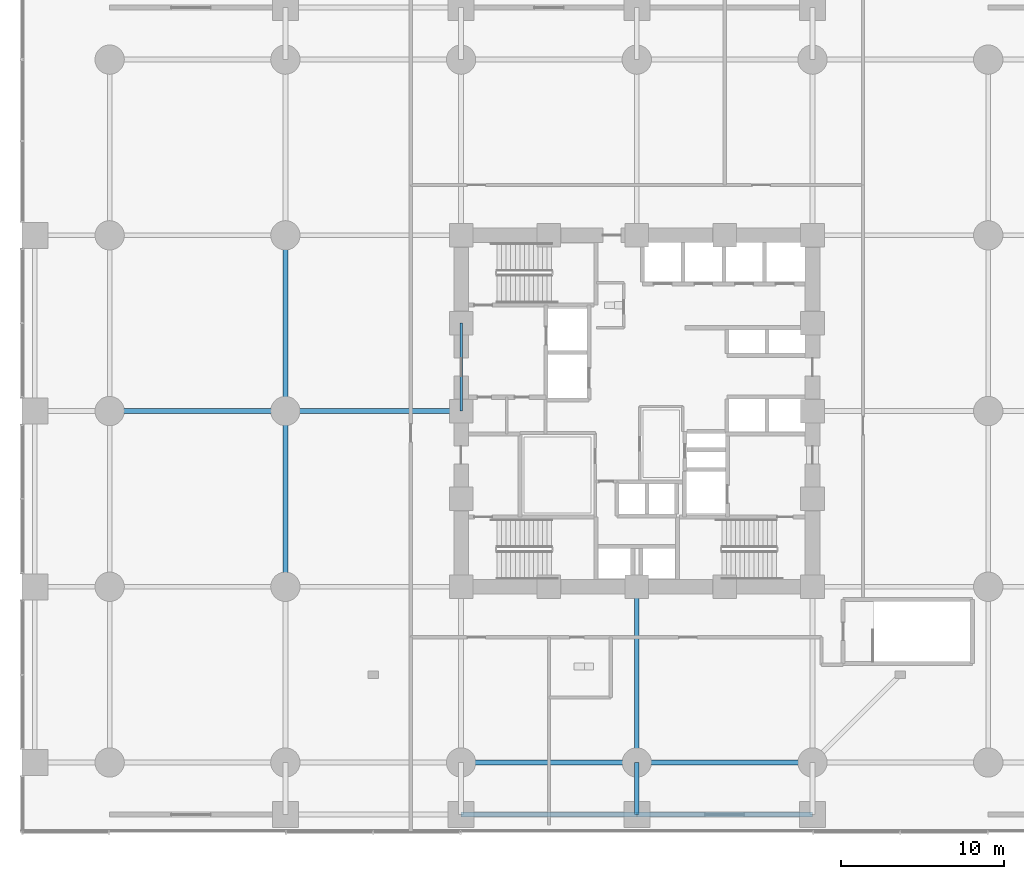
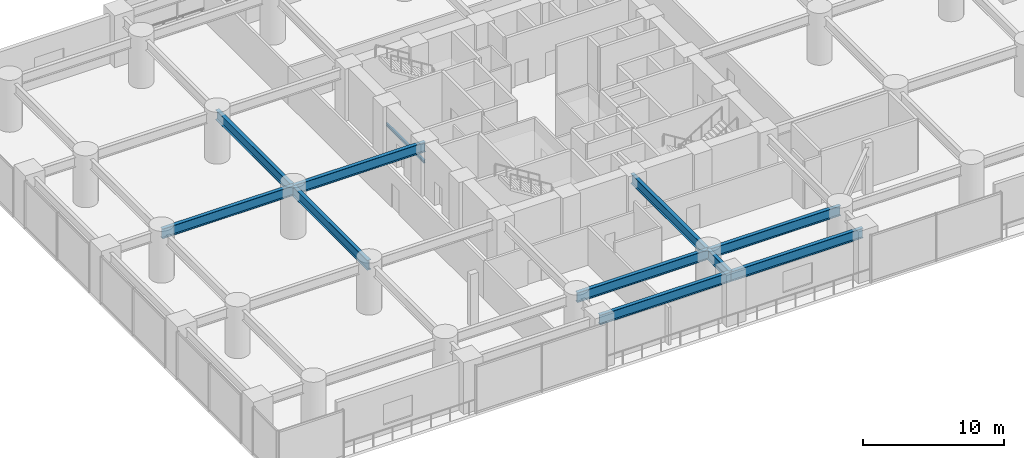
# One storey, part 8 of 35: 11 beams.
"""IFC4 building model written with IfcOpenShell, lengths in metres."""

from ifc_helpers import new_model, si_unit, direction, frame, origin, origin_2d, place, context, subcontext, project, spatial, i_section, extrude, material, material_profile, profile_set, type_object, element, save


model = new_model("IFC4")

# Units and contexts
model_context = context("Model", 3, precision=1e-05, world=origin(), true_north=direction((0.0, 1.0)))
body_context = subcontext(model_context, "Body", "Model", "MODEL_VIEW")
ifc_project = project(units=[si_unit("LENGTHUNIT", "METRE"), si_unit("AREAUNIT", "SQUARE_METRE"), si_unit("VOLUMEUNIT", "CUBIC_METRE"), si_unit("PLANEANGLEUNIT", "RADIAN"), si_unit("MASSUNIT", "GRAM", prefix="KILO")], contexts=[model_context])

# Site, building, storey
site_placement = place(None, origin())
site = spatial("IfcSite", under=ifc_project, at=site_placement, CompositionType="ELEMENT")
building_placement = place(site_placement, origin())
building = spatial("IfcBuilding", under=site, at=building_placement, Name="Surkhivell Harbour Commons", CompositionType="ELEMENT")
storey_placement = place(building_placement, frame((0.0, 0.0, 13.5)))
storey = spatial("IfcBuildingStorey", under=building, at=storey_placement, Name="L03", CompositionType="ELEMENT", Elevation=13.5)

# Beams
ifc_material_1 = material(Name="Steel S355", Category="steel")
ifc_material_profile_1 = material_profile(ifc_material_1, i_section(OverallWidth=0.14599609375, OverallDepth=0.256103515625, WebThickness=0.00634765625, FlangeThickness=0.010986328125, at=origin_2d()), Name="UB254x146x37")
ifc_profile_set_1 = profile_set([ifc_material_profile_1], Name="Steel S355")
beam_type_1 = type_object("IfcBeamType", Name="BM-LNT-254", PredefinedType="LINTEL", material=ifc_profile_set_1)
beam_1_placement = place(storey_placement, frame((-10.800048828125, 0.0, 2.35009765625), z_axis=(0.0, 1.0, 0.0), x_axis=(-1.0, 0.0, 0.0)))
element("IfcBeam", 1, at=beam_1_placement, inside=storey, type_object=beam_type_1, Name="L03 Core Lobby Opening Lintel LB-1", PredefinedType="LINTEL", context=body_context, shape_type="SweptSolid", body=[
    extrude(i_section(OverallWidth=0.14599609375, OverallDepth=0.256103515625, WebThickness=0.00634765625, FlangeThickness=0.010986328125, at=origin_2d()), origin(), (0.0, 0.0, 1.0), 5.39990234375),
])
ifc_material_2 = material(Name="Steel S460", Category="steel")
ifc_material_profile_2 = material_profile(ifc_material_2, i_section(OverallWidth=0.2939453125, OverallDepth=0.85107421875, WebThickness=0.01611328125, FlangeThickness=0.02685546875, at=origin_2d()), Name="UB838x292x226")
ifc_profile_set_2 = profile_set([ifc_material_profile_2], Name="Steel S460")
beam_type_2 = type_object("IfcBeamType", Name="BM-SPN-838", PredefinedType="SPANDREL", material=ifc_profile_set_2)
beam_2_placement = place(storey_placement, frame((-32.39990234375, 0.0, 3.724609375), z_axis=(1.0, 0.0, 0.0), x_axis=(0.0, 1.0, 0.0)))
element("IfcBeam", 2, at=beam_2_placement, inside=storey, type_object=beam_type_2, Name="L03 Framing Beam (-32.4,0.0)", PredefinedType="SPANDREL", context=body_context, shape_type="SweptSolid", body=[
    extrude(i_section(OverallWidth=0.2939453125, OverallDepth=0.85107421875, WebThickness=0.01611328125, FlangeThickness=0.02685546875, at=origin_2d()), origin(), (0.0, 0.0, 1.0), 10.7998046875),
])
for number, where, z_axis, x_axis, name in (
    (3, (-21.60009765625, -10.800048828125, 3.724609375), (0.0, 1.0, 0.0), (-1.0, 0.0, 0.0), "L03 Framing Beam (-21.6,-10.8)"),
    (4, (-21.60009765625, 0.0, 3.724609375), (0.0, 1.0, 0.0), (-1.0, 0.0, 0.0), "L03 Framing Beam (-21.6,0.0)"),
    (5, (-21.60009765625, 0.0, 3.724609375), (1.0, 0.0, 0.0), (0.0, 1.0, 0.0), "L03 Framing Beam (-21.6,0.0)"),
    (6, (-10.800048828125, -24.800048828125, 3.724609375), (1.0, 0.0, 0.0), (0.0, 1.0, 0.0), "L03 Framing Beam (-10.8,-24.8)"),
    (7, (-10.800048828125, -21.60009765625, 3.724609375), (1.0, 0.0, 0.0), (0.0, 1.0, 0.0), "L03 Framing Beam (-10.8,-21.6)"),
):
    element("IfcBeam", number, at=place(storey_placement, frame(where, z_axis=z_axis, x_axis=x_axis)), inside=storey, type_object=beam_type_2, Name=name, PredefinedType="SPANDREL", context=body_context, shape_type="SweptSolid", body=[
        extrude(i_section(OverallWidth=0.2939453125, OverallDepth=0.85107421875, WebThickness=0.01611328125, FlangeThickness=0.02685546875, at=origin_2d()), origin(), (0.0, 0.0, 1.0), 10.800048828125),
    ])
beam_3_placement = place(storey_placement, frame((0.0, -24.800048828125, 3.724609375), z_axis=(0.0, 1.0, 0.0), x_axis=(-1.0, 0.0, 0.0)))
element("IfcBeam", 8, at=beam_3_placement, inside=storey, type_object=beam_type_2, Name="L03 Framing Beam (0.0,-24.8)", PredefinedType="SPANDREL", context=body_context, shape_type="SweptSolid", body=[
    extrude(i_section(OverallWidth=0.2939453125, OverallDepth=0.85107421875, WebThickness=0.01611328125, FlangeThickness=0.02685546875, at=origin_2d()), origin(), (0.0, 0.0, 1.0), 3.199951171875),
])
for number, where, z_axis, x_axis, name in (
    (9, (0.0, -24.800048828125, 3.724609375), (1.0, 0.0, 0.0), (0.0, 1.0, 0.0), "L03 Framing Beam (0.0,-24.8)"),
    (10, (0.0, -21.60009765625, 3.724609375), (0.0, 1.0, 0.0), (-1.0, 0.0, 0.0), "L03 Framing Beam (0.0,-21.6)"),
    (11, (0.0, -21.60009765625, 3.724609375), (1.0, 0.0, 0.0), (0.0, 1.0, 0.0), "L03 Framing Beam (0.0,-21.6)"),
):
    element("IfcBeam", number, at=place(storey_placement, frame(where, z_axis=z_axis, x_axis=x_axis)), inside=storey, type_object=beam_type_2, Name=name, PredefinedType="SPANDREL", context=body_context, shape_type="SweptSolid", body=[
        extrude(i_section(OverallWidth=0.2939453125, OverallDepth=0.85107421875, WebThickness=0.01611328125, FlangeThickness=0.02685546875, at=origin_2d()), origin(), (0.0, 0.0, 1.0), 10.800048828125),
    ])

save(model, "model.ifc")
